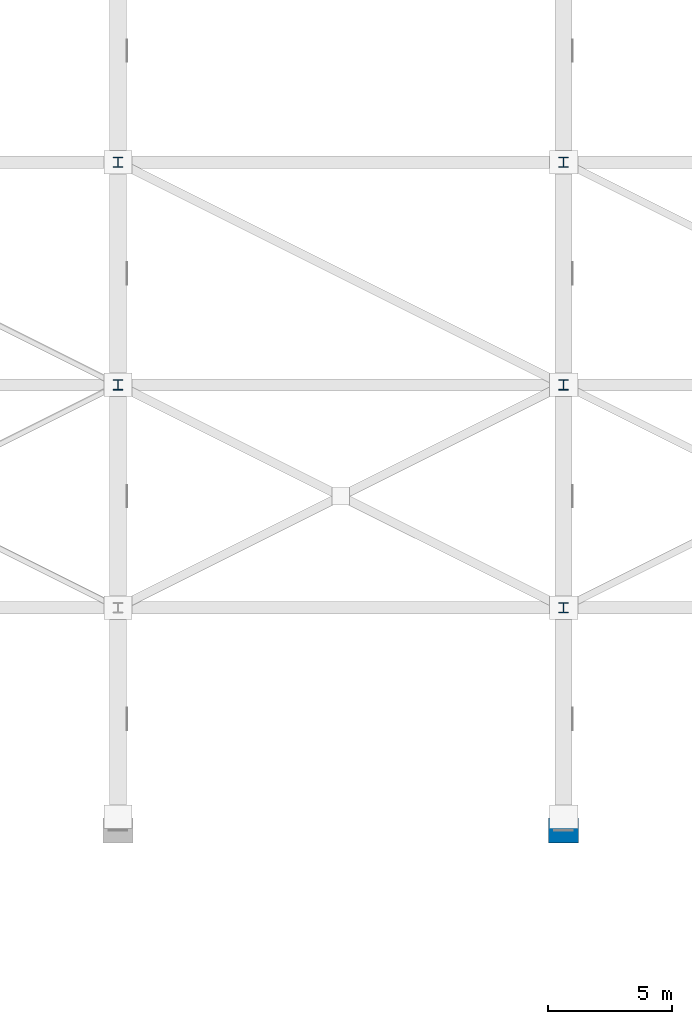
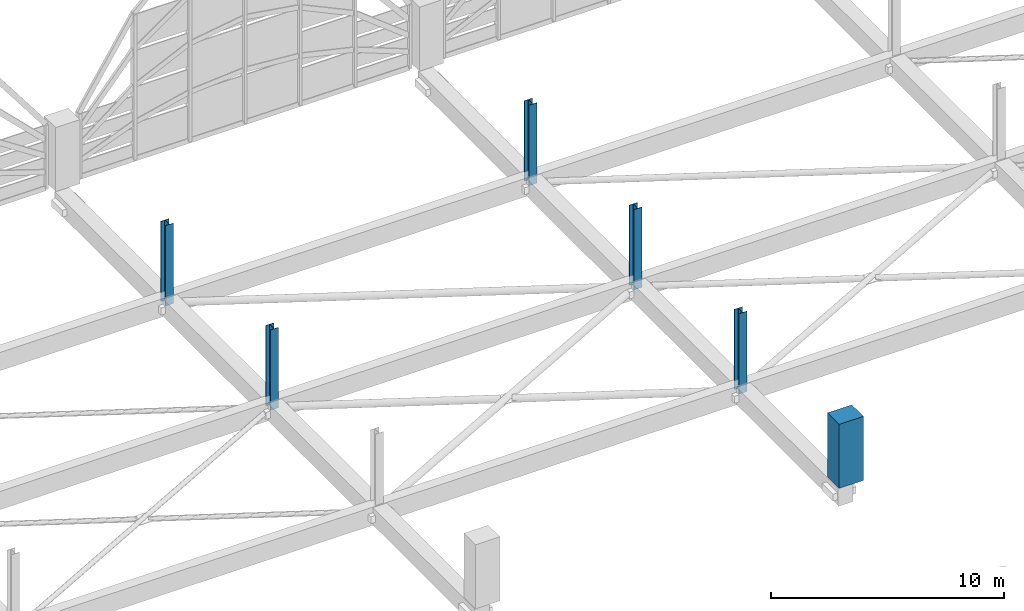
# One storey, part 6 of 116: 6 columns.
"""IFC4 building model written with IfcOpenShell, lengths in metres."""

from ifc_helpers import new_model, si_unit, direction, frame, origin, origin_2d, place, context, subcontext, project, spatial, rectangle, i_section, extrude, material, material_profile, profile_set, type_object, element, save


model = new_model("IFC4")

# Units and contexts
model_context = context("Model", 3, precision=1e-05, world=origin(), true_north=direction((0.0, 1.0)))
body_context = subcontext(model_context, "Body", "Model", "MODEL_VIEW")
ifc_project = project(units=[si_unit("LENGTHUNIT", "METRE"), si_unit("AREAUNIT", "SQUARE_METRE"), si_unit("VOLUMEUNIT", "CUBIC_METRE"), si_unit("PLANEANGLEUNIT", "RADIAN"), si_unit("MASSUNIT", "GRAM", prefix="KILO")], contexts=[model_context])

# Site, building, storey
site_placement = place(None, origin())
site = spatial("IfcSite", under=ifc_project, at=site_placement, CompositionType="ELEMENT")
building_placement = place(site_placement, origin())
building = spatial("IfcBuilding", under=site, at=building_placement, Name="Chuanluo Vaults Station", CompositionType="ELEMENT")
storey_placement = place(building_placement, frame((0.0, 0.0, 10.800048828125)))
storey = spatial("IfcBuildingStorey", under=building, at=storey_placement, Name="L02", CompositionType="ELEMENT", Elevation=10.800048828125)

# Columns
ifc_material_1 = material(Name="Concrete C50", Category="concrete")
ifc_material_profile_1 = material_profile(ifc_material_1, rectangle(XDim=1.199951171875, YDim=1.0, at=origin_2d()))
ifc_profile_set_1 = profile_set([ifc_material_profile_1], Name="Concrete C50")
column_type_1 = type_object("IfcColumnType", Name="COL-SRC-1200x1000", PredefinedType="COLUMN", material=ifc_profile_set_1)
column_placement = place(storey_placement, frame((54.0, 67.5, 0.0), z_axis=(0.0, 0.0, 1.0), x_axis=(1.0, 0.0, 0.0)))
element("IfcColumn", 1, at=column_placement, inside=storey, type_object=column_type_1, Name="Column L02-040", PredefinedType="COLUMN", context=body_context, shape_type="SweptSolid", body=[
    extrude(rectangle(XDim=1.199951171875, YDim=1.0, at=origin_2d()), origin(), (0.0, 0.0, 1.0), 3.349853515625),
])
ifc_material_2 = material(Name="Steel Q355C", Category="steel")
ifc_material_profile_2 = material_profile(ifc_material_2, i_section(OverallWidth=0.39990234375, OverallDepth=0.407958984375, WebThickness=0.02099609375, FlangeThickness=0.02099609375, FilletRadius=0.02197265625, at=origin_2d()))
ifc_profile_set_2 = profile_set([ifc_material_profile_2], Name="Steel Q355C")
column_type_2 = type_object("IfcColumnType", Name="COL-STL-HW408", PredefinedType="COLUMN", material=ifc_profile_set_2)
for number, where, z_axis, x_axis, name in (
    (2, (36.0, 85.5, -0.85009765625), (0.0, 0.0, 1.0), (1.0, 0.0, 0.0), "Over-track vault pedestal 3-85"),
    (3, (36.0, 94.5, -0.85009765625), (0.0, 0.0, 1.0), (1.0, 0.0, 0.0), "Over-track vault pedestal 3-94"),
    (4, (54.0, 76.5, -0.85009765625), (0.0, 0.0, 1.0), (1.0, 0.0, 0.0), "Over-track vault pedestal 4-76"),
    (5, (54.0, 85.5, -0.85009765625), (0.0, 0.0, 1.0), (1.0, 0.0, 0.0), "Over-track vault pedestal 4-85"),
    (6, (54.0, 94.5, -0.85009765625), (0.0, 0.0, 1.0), (1.0, 0.0, 0.0), "Over-track vault pedestal 4-94"),
):
    element("IfcColumn", number, at=place(storey_placement, frame(where, z_axis=z_axis, x_axis=x_axis)), inside=storey, type_object=column_type_2, Name=name, PredefinedType="COLUMN", context=body_context, shape_type="SweptSolid", body=[
        extrude(i_section(OverallWidth=0.39990234375, OverallDepth=0.407958984375, WebThickness=0.02099609375, FlangeThickness=0.02099609375, FilletRadius=0.02197265625, at=origin_2d()), origin(), (0.0, 0.0, 1.0), 4.199951171875),
    ])

save(model, "model.ifc")
